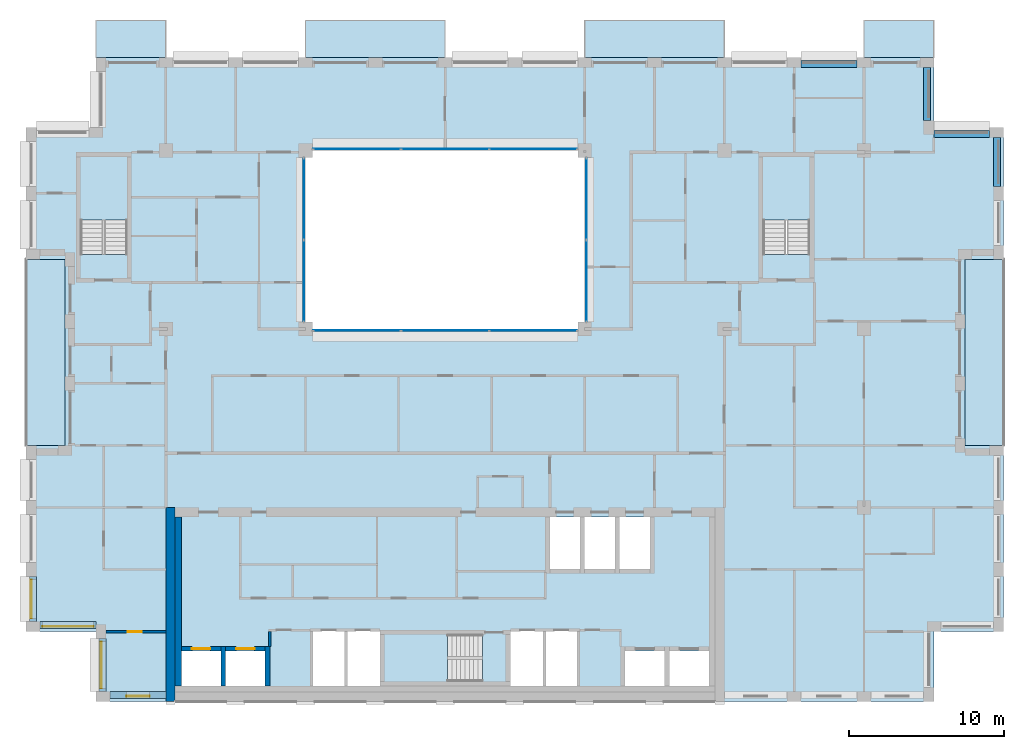
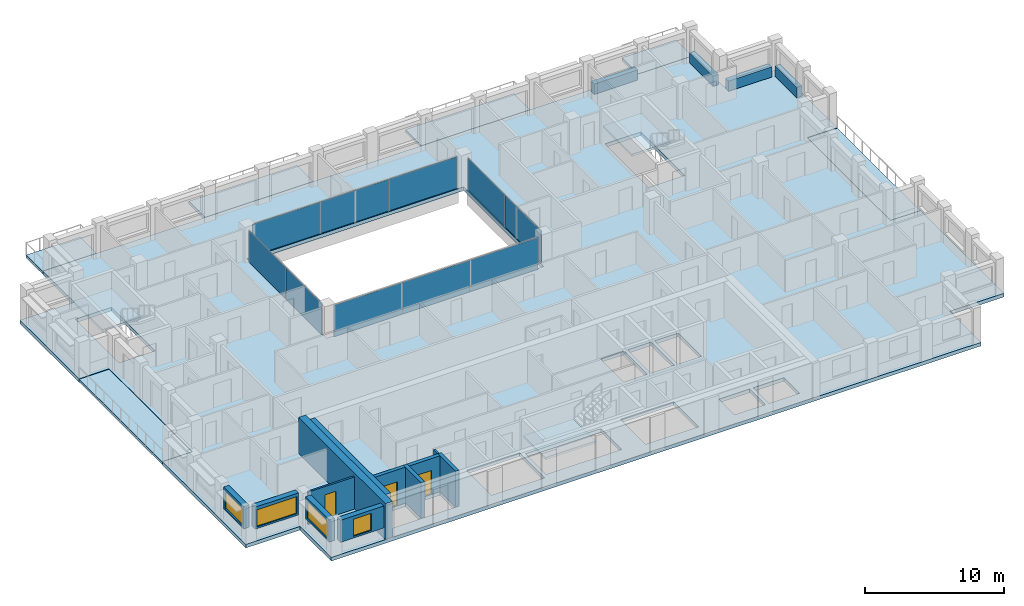
# One storey, part 7 of 16: 12 walls, 10 plates, 10 slabs, 4 beams, 4 windows, 3 doors, 7 openings, 7 elements without a shape of their own.
"""IFC4 building model written with IfcOpenShell, lengths in metres."""

from ifc_helpers import new_model, si_unit, direction, frame, frame_2d, origin, origin_2d, place, context, subcontext, project, spatial, polyline, rectangle, outline, extrude, material, layer, layer_set, material_profile, profile_set, type_object, element, fill, aggregate, save


model = new_model("IFC4")

# Units and contexts
model_context = context("Model", 3, precision=1e-05, world=origin(), true_north=direction((0.0, 1.0)))
body_context = subcontext(model_context, "Body", "Model", "MODEL_VIEW")
ifc_project = project(units=[si_unit("LENGTHUNIT", "METRE"), si_unit("AREAUNIT", "SQUARE_METRE"), si_unit("VOLUMEUNIT", "CUBIC_METRE"), si_unit("PLANEANGLEUNIT", "RADIAN"), si_unit("MASSUNIT", "GRAM", prefix="KILO")], contexts=[model_context])

# Site, building, storey
site_placement = place(None, origin())
site = spatial("IfcSite", under=ifc_project, at=site_placement, CompositionType="ELEMENT")
building_placement = place(site_placement, origin())
building = spatial("IfcBuilding", under=site, at=building_placement, Name="Brigalow Station Residences", CompositionType="ELEMENT")
storey_placement = place(building_placement, frame((0.0, 0.0, 201.14990234375)))
storey = spatial("IfcBuildingStorey", under=building, at=storey_placement, Name="L57", CompositionType="ELEMENT", Elevation=201.14990234375)

# Beams
ifc_material_1 = material(Name="Concrete C50", Category="concrete")
ifc_material_profile = material_profile(ifc_material_1, rectangle(XDim=0.449951171875, YDim=0.89990234375, at=origin_2d()), Name="RC450x900")
ifc_profile_set = profile_set([ifc_material_profile], Name="Concrete C50")
beam_type = type_object("IfcBeamType", Name="SPANDREL BEAM 450x900 C50", PredefinedType="SPANDREL", material=ifc_profile_set)
beam_1_placement = place(storey_placement, frame((71.574951171875, 33.199951171875, 0.4501953125), z_axis=(0.0, 1.0, 0.0), x_axis=(-1.0, 0.0, 0.0)))
element("IfcBeam", 1, at=beam_1_placement, inside=storey, type_object=beam_type, Name="L57/spandrel/W-L57-17", PredefinedType="SPANDREL", context=body_context, shape_type="SweptSolid", body=[
    extrude(rectangle(XDim=0.449951171875, YDim=0.89990234375, at=origin_2d()), origin(), (0.0, 0.0, 1.0), 3.150146484375),
])
beam_2_placement = place(storey_placement, frame((71.10009765625, 36.574951171875, 0.4501953125), z_axis=(-1.0, 0.0, 0.0), x_axis=(0.0, -1.0, 0.0)))
element("IfcBeam", 2, at=beam_2_placement, inside=storey, type_object=beam_type, Name="L57/spandrel/W-L57-18", PredefinedType="SPANDREL", context=body_context, shape_type="SweptSolid", body=[
    extrude(rectangle(XDim=0.449951171875, YDim=0.89990234375, at=origin_2d()), origin(), (0.0, 0.0, 1.0), 3.60009765625),
])
beam_3_placement = place(storey_placement, frame((67.074951171875, 37.449951171875, 0.4501953125), z_axis=(0.0, 1.0, 0.0), x_axis=(-1.0, 0.0, 0.0)))
element("IfcBeam", 3, at=beam_3_placement, inside=storey, type_object=beam_type, Name="L57/spandrel/W-L57-19", PredefinedType="SPANDREL", context=body_context, shape_type="SweptSolid", body=[
    extrude(rectangle(XDim=0.449951171875, YDim=0.89990234375, at=origin_2d()), origin(), (0.0, 0.0, 1.0), 3.400146484375),
])
beam_4_placement = place(storey_placement, frame((62.550048828125, 41.074951171875, 0.4501953125), z_axis=(-1.0, 0.0, 0.0), x_axis=(0.0, -1.0, 0.0)))
element("IfcBeam", 4, at=beam_4_placement, inside=storey, type_object=beam_type, Name="L57/spandrel/W-L57-21", PredefinedType="SPANDREL", context=body_context, shape_type="SweptSolid", body=[
    extrude(rectangle(XDim=0.449951171875, YDim=0.89990234375, at=origin_2d()), origin(), (0.0, 0.0, 1.0), 3.60009765625),
])

# Curtain wall, plates
ifc_material_2 = material(Name="Aluminium", Category="aluminium")
ifc_layer_1 = layer(ifc_material_2, 0.14990234375)
ifc_layer_set_1 = layer_set([ifc_layer_1], Name="ATRIUM FIRE-RATED GLAZING CURTAIN WALL")
curtain_wall_type = type_object("IfcCurtainWallType", Name="ATRIUM FIRE-RATED GLAZING CURTAIN WALL", PredefinedType="NOTDEFINED", material=ifc_layer_set_1)
curtain_wall_1_placement = place(storey_placement, origin())
curtain_wall_1 = element("IfcCurtainWall", 5, at=curtain_wall_1_placement, inside=storey, type_object=curtain_wall_type, Name="L57/cw/atrium-S", PredefinedType="NOTDEFINED")
ifc_material_3 = material(Name="Fire-resisting laminated glazing, FRL -/60/-", Category="glass")
ifc_layer_2 = layer(ifc_material_3, 0.031982421875)
ifc_layer_set_2 = layer_set([ifc_layer_2], Name="ATRIUM FIRE-RATED GLAZING PANEL 32")
plate_type = type_object("IfcPlateType", Name="ATRIUM FIRE-RATED GLAZING PANEL 32", PredefinedType="CURTAIN_PANEL", material=ifc_layer_set_2)
plate_1_placement = place(storey_placement, frame((30.31494140625, 23.89990234375, 0.0), z_axis=(0.0, 0.0, 1.0), x_axis=(1.0, 0.0, 0.0)))
plate_1 = element("IfcPlate", 6, at=plate_1_placement, type_object=plate_type, Name="L57/cw/atrium-S/P00-00", PredefinedType="CURTAIN_PANEL", context=body_context, shape_type="SweptSolid", body=[
    extrude(rectangle(XDim=5.610107421875, YDim=0.031982421875, at=origin_2d()), origin(), (0.0, 0.0, 1.0), 2.77001953125),
])
plate_2_placement = place(storey_placement, frame((36.0, 23.89990234375, 0.0), z_axis=(0.0, 0.0, 1.0), x_axis=(1.0, 0.0, 0.0)))
plate_2 = element("IfcPlate", 7, at=plate_2_placement, type_object=plate_type, Name="L57/cw/atrium-S/P01-00", PredefinedType="CURTAIN_PANEL", context=body_context, shape_type="SweptSolid", body=[
    extrude(rectangle(XDim=5.639892578125, YDim=0.031982421875, at=origin_2d()), origin(), (0.0, 0.0, 1.0), 2.77001953125),
])
plate_3_placement = place(storey_placement, frame((41.68505859375, 23.89990234375, 0.0), z_axis=(0.0, 0.0, 1.0), x_axis=(1.0, 0.0, 0.0)))
plate_3 = element("IfcPlate", 8, at=plate_3_placement, type_object=plate_type, Name="L57/cw/atrium-S/P02-00", PredefinedType="CURTAIN_PANEL", context=body_context, shape_type="SweptSolid", body=[
    extrude(rectangle(XDim=5.610107421875, YDim=0.031982421875, at=origin_2d()), origin(), (0.0, 0.0, 1.0), 2.77001953125),
])
aggregate(curtain_wall_1, [plate_1, plate_2, plate_3])

curtain_wall_2_placement = place(storey_placement, origin())
curtain_wall_2 = element("IfcCurtainWall", 9, at=curtain_wall_2_placement, inside=storey, type_object=curtain_wall_type, Name="L57/cw/atrium-E", PredefinedType="NOTDEFINED")
plate_4_placement = place(storey_placement, frame((45.10009765625, 27.114990234375, 0.0), z_axis=(0.0, 0.0, 1.0), x_axis=(0.0, 1.0, 0.0)))
plate_4 = element("IfcPlate", 10, at=plate_4_placement, type_object=plate_type, Name="L57/cw/atrium-E/P00-00", PredefinedType="CURTAIN_PANEL", context=body_context, shape_type="SweptSolid", body=[
    extrude(rectangle(XDim=5.2099609375, YDim=0.031982421875, at=origin_2d()), origin(), (0.0, 0.0, 1.0), 2.77001953125),
])
plate_5_placement = place(storey_placement, frame((45.10009765625, 32.385009765625, 0.0), z_axis=(0.0, 0.0, 1.0), x_axis=(0.0, 1.0, 0.0)))
plate_5 = element("IfcPlate", 11, at=plate_5_placement, type_object=plate_type, Name="L57/cw/atrium-E/P01-00", PredefinedType="CURTAIN_PANEL", context=body_context, shape_type="SweptSolid", body=[
    extrude(rectangle(XDim=5.2099609375, YDim=0.031982421875, at=origin_2d()), origin(), (0.0, 0.0, 1.0), 2.77001953125),
])
aggregate(curtain_wall_2, [plate_4, plate_5])

curtain_wall_3_placement = place(storey_placement, origin())
curtain_wall_3 = element("IfcCurtainWall", 12, at=curtain_wall_3_placement, inside=storey, type_object=curtain_wall_type, Name="L57/cw/atrium-N", PredefinedType="NOTDEFINED")
plate_6_placement = place(storey_placement, frame((41.68505859375, 35.60009765625, 0.0), z_axis=(0.0, 0.0, 1.0), x_axis=(-1.0, 0.0, 0.0)))
plate_6 = element("IfcPlate", 13, at=plate_6_placement, type_object=plate_type, Name="L57/cw/atrium-N/P00-00", PredefinedType="CURTAIN_PANEL", context=body_context, shape_type="SweptSolid", body=[
    extrude(rectangle(XDim=5.610107421875, YDim=0.031982421875, at=origin_2d()), origin(), (0.0, 0.0, 1.0), 2.77001953125),
])
plate_7_placement = place(storey_placement, frame((36.0, 35.60009765625, 0.0), z_axis=(0.0, 0.0, 1.0), x_axis=(-1.0, 0.0, 0.0)))
plate_7 = element("IfcPlate", 14, at=plate_7_placement, type_object=plate_type, Name="L57/cw/atrium-N/P01-00", PredefinedType="CURTAIN_PANEL", context=body_context, shape_type="SweptSolid", body=[
    extrude(rectangle(XDim=5.639892578125, YDim=0.031982421875, at=origin_2d()), origin(), (0.0, 0.0, 1.0), 2.77001953125),
])
plate_8_placement = place(storey_placement, frame((30.31494140625, 35.60009765625, 0.0), z_axis=(0.0, 0.0, 1.0), x_axis=(-1.0, 0.0, 0.0)))
plate_8 = element("IfcPlate", 15, at=plate_8_placement, type_object=plate_type, Name="L57/cw/atrium-N/P02-00", PredefinedType="CURTAIN_PANEL", context=body_context, shape_type="SweptSolid", body=[
    extrude(rectangle(XDim=5.610107421875, YDim=0.031982421875, at=origin_2d()), origin(), (0.0, 0.0, 1.0), 2.77001953125),
])
aggregate(curtain_wall_3, [plate_6, plate_7, plate_8])

curtain_wall_4_placement = place(storey_placement, origin())
curtain_wall_4 = element("IfcCurtainWall", 16, at=curtain_wall_4_placement, inside=storey, type_object=curtain_wall_type, Name="L57/cw/atrium-W", PredefinedType="NOTDEFINED")
plate_9_placement = place(storey_placement, frame((26.89990234375, 32.385009765625, 0.0), z_axis=(0.0, 0.0, 1.0), x_axis=(0.0, -1.0, 0.0)))
plate_9 = element("IfcPlate", 17, at=plate_9_placement, type_object=plate_type, Name="L57/cw/atrium-W/P00-00", PredefinedType="CURTAIN_PANEL", context=body_context, shape_type="SweptSolid", body=[
    extrude(rectangle(XDim=5.2099609375, YDim=0.031982421875, at=origin_2d()), origin(), (0.0, 0.0, 1.0), 2.77001953125),
])
plate_10_placement = place(storey_placement, frame((26.89990234375, 27.114990234375, 0.0), z_axis=(0.0, 0.0, 1.0), x_axis=(0.0, -1.0, 0.0)))
plate_10 = element("IfcPlate", 18, at=plate_10_placement, type_object=plate_type, Name="L57/cw/atrium-W/P01-00", PredefinedType="CURTAIN_PANEL", context=body_context, shape_type="SweptSolid", body=[
    extrude(rectangle(XDim=5.2099609375, YDim=0.031982421875, at=origin_2d()), origin(), (0.0, 0.0, 1.0), 2.77001953125),
])
aggregate(curtain_wall_4, [plate_9, plate_10])

# Slabs
ifc_material_4 = material(Name="Concrete C50 precast", Category="concrete")
ifc_layer_3 = layer(ifc_material_4, 0.25)
ifc_layer_set_3 = layer_set([ifc_layer_3], Name="BALCONY SLAB 250")
slab_type_1 = type_object("IfcSlabType", Name="BALCONY SLAB 250", PredefinedType="USERDEFINED", material=ifc_layer_set_3)
slab_1_placement = place(storey_placement, frame((0.0, 0.0, -0.289794921875)))
element("IfcSlab", 19, at=slab_1_placement, inside=storey, type_object=slab_type_1, Name="L57/balcony/1", ObjectType="BALCONY", PredefinedType="USERDEFINED", context=body_context, shape_type="SweptSolid", body=[
    extrude(outline(polyline([(69.5, 16.5), (72.0, 16.5), (72.0, 28.5), (69.5, 28.5), (69.5, 16.5)])), origin(), (0.0, 0.0, 1.0), 0.25),
])
slab_2_placement = place(storey_placement, frame((0.0, 0.0, -0.289794921875)))
element("IfcSlab", 20, at=slab_2_placement, inside=storey, type_object=slab_type_1, Name="L57/balcony/2", ObjectType="BALCONY", PredefinedType="USERDEFINED", context=body_context, shape_type="SweptSolid", body=[
    extrude(outline(polyline([(67.5, 41.5), (67.5, 43.89990234375), (63.0, 43.89990234375), (63.0, 41.5), (67.5, 41.5)])), origin(), (0.0, 0.0, 1.0), 0.25),
])
slab_3_placement = place(storey_placement, frame((0.0, 0.0, -0.289794921875)))
element("IfcSlab", 21, at=slab_3_placement, inside=storey, type_object=slab_type_1, Name="L57/balcony/3", ObjectType="BALCONY", PredefinedType="USERDEFINED", context=body_context, shape_type="SweptSolid", body=[
    extrude(outline(polyline([(54.0, 41.5), (54.0, 43.89990234375), (45.0, 43.89990234375), (45.0, 41.5), (54.0, 41.5)])), origin(), (0.0, 0.0, 1.0), 0.25),
])
slab_4_placement = place(storey_placement, frame((0.0, 0.0, -0.289794921875)))
element("IfcSlab", 22, at=slab_4_placement, inside=storey, type_object=slab_type_1, Name="L57/balcony/4", ObjectType="BALCONY", PredefinedType="USERDEFINED", context=body_context, shape_type="SweptSolid", body=[
    extrude(outline(polyline([(36.0, 41.5), (36.0, 43.89990234375), (27.0, 43.89990234375), (27.0, 41.5), (36.0, 41.5)])), origin(), (0.0, 0.0, 1.0), 0.25),
])
slab_5_placement = place(storey_placement, frame((0.0, 0.0, -0.289794921875)))
element("IfcSlab", 23, at=slab_5_placement, inside=storey, type_object=slab_type_1, Name="L57/balcony/5", ObjectType="BALCONY", PredefinedType="USERDEFINED", context=body_context, shape_type="SweptSolid", body=[
    extrude(outline(polyline([(18.0, 41.5), (18.0, 43.89990234375), (13.5, 43.89990234375), (13.5, 41.5), (18.0, 41.5)])), origin(), (0.0, 0.0, 1.0), 0.25),
])
slab_6_placement = place(storey_placement, frame((0.0, 0.0, -0.289794921875)))
element("IfcSlab", 24, at=slab_6_placement, inside=storey, type_object=slab_type_1, Name="L57/balcony/6", ObjectType="BALCONY", PredefinedType="USERDEFINED", context=body_context, shape_type="SweptSolid", body=[
    extrude(outline(polyline([(11.5, 28.5), (9.0, 28.5), (9.0, 16.5), (11.5, 16.5), (11.5, 28.5)])), origin(), (0.0, 0.0, 1.0), 0.25),
])
ifc_material_5 = material(Name="Concrete C50", Category="concrete")
ifc_layer_4 = layer(ifc_material_5, 0.320068359375)
ifc_layer_set_4 = layer_set([ifc_layer_4], Name="POST-TENSIONED FLAT PLATE 320 C50")
slab_type_2 = type_object("IfcSlabType", Name="POST-TENSIONED FLAT PLATE 320 C50", PredefinedType="FLOOR", material=ifc_layer_set_4)
slab_7_placement = place(storey_placement, frame((0.0, 0.0, -0.31982421875)))
element("IfcSlab", 25, at=slab_7_placement, inside=storey, type_object=slab_type_2, Name="FLOOR SLAB L57", PredefinedType="FLOOR", context=body_context, shape_type="SweptSolid", body=[
    extrude(outline(polyline([(13.5, 0.0), (67.5, 0.0), (67.5, 4.5), (72.0, 4.5), (72.0, 16.5), (69.5, 16.5), (69.5, 28.5), (72.0, 28.5), (72.0, 37.0), (67.5, 37.0), (67.5, 41.5), (13.5, 41.5), (13.5, 37.0), (9.0, 37.0), (9.0, 28.5), (11.5, 28.5), (11.5, 16.5), (9.0, 16.5), (9.0, 4.5), (13.5, 4.5), (13.5, 0.0)]), holes=[polyline([(12.5048828125, 35.094970703125), (15.4951171875, 35.094970703125), (15.4951171875, 28.804931640625), (12.5048828125, 28.804931640625), (12.5048828125, 35.094970703125)]), polyline([(19.0, 1.0), (19.0, 3.25), (21.550048828125, 3.25), (21.550048828125, 1.0), (19.0, 1.0)]), polyline([(21.85009765625, 3.25), (24.39990234375, 3.25), (24.39990234375, 1.0), (21.85009765625, 1.0), (21.85009765625, 3.25)]), polyline([(27.0, 35.5), (45.0, 35.5), (45.0, 24.0), (27.0, 24.0), (27.0, 35.5)]), polyline([(29.60009765625, 4.60009765625), (31.800048828125, 4.60009765625), (31.800048828125, 1.0), (29.60009765625, 1.0), (27.39990234375, 1.0), (27.39990234375, 4.60009765625), (29.60009765625, 4.60009765625)]), polyline([(32.10498046875, 4.294921875), (38.39501953125, 4.294921875), (38.39501953125, 1.304931640625), (32.10498046875, 1.304931640625), (32.10498046875, 4.294921875)]), polyline([(40.199951171875, 4.60009765625), (42.39990234375, 4.60009765625), (44.60009765625, 4.60009765625), (44.60009765625, 1.0), (42.39990234375, 1.0), (40.199951171875, 1.0), (40.199951171875, 4.60009765625)]), polyline([(42.75, 11.89990234375), (44.699951171875, 11.89990234375), (44.699951171875, 8.550048828125), (42.75, 8.550048828125), (42.75, 11.89990234375)]), polyline([(45.0, 11.89990234375), (46.949951171875, 11.89990234375), (46.949951171875, 8.550048828125), (45.0, 8.550048828125), (45.0, 11.89990234375)]), polyline([(47.25, 11.89990234375), (49.199951171875, 11.89990234375), (49.199951171875, 8.550048828125), (47.25, 8.550048828125), (47.25, 11.89990234375)]), polyline([(47.60009765625, 3.25), (50.14990234375, 3.25), (50.14990234375, 1.0), (47.60009765625, 1.0), (47.60009765625, 3.25)]), polyline([(50.449951171875, 3.25), (53.0, 3.25), (53.0, 1.0), (50.449951171875, 1.0), (50.449951171875, 3.25)]), polyline([(56.5048828125, 35.094970703125), (59.4951171875, 35.094970703125), (59.4951171875, 28.804931640625), (56.5048828125, 28.804931640625), (56.5048828125, 35.094970703125)])]), origin(), (0.0, 0.0, 1.0), 0.31982421875),
])

# Stair, slab
ifc_material_6 = material(Name="Concrete C50", Category="concrete")
stair_type = type_object("IfcStairType", Name="EXIT STAIR 1400 2 FLIGHT", PredefinedType="HALF_TURN_STAIR", material=ifc_material_6)
stair_1_placement = place(storey_placement, origin())
stair_1 = element("IfcStair", 26, at=stair_1_placement, inside=storey, type_object=stair_type, Name="EXIT STAIR S2 L57", PredefinedType="HALF_TURN_STAIR")
ifc_material_7 = material(Name="Concrete C50", Category="concrete")
ifc_layer_5 = layer(ifc_material_7, 0.199951171875)
ifc_layer_set_5 = layer_set([ifc_layer_5], Name="STAIR LANDING 200")
slab_type_3 = type_object("IfcSlabType", Name="STAIR LANDING 200", PredefinedType="LANDING", material=ifc_layer_set_5)
slab_8_placement = place(storey_placement, frame((0.0, 0.0, 1.375)))
slab_8 = element("IfcSlab", 27, at=slab_8_placement, type_object=slab_type_3, Name="ST-2 landing 1", PredefinedType="LANDING", context=body_context, shape_type="SweptSolid", body=[
    extrude(outline(polyline([(32.0, 1.199951171875), (36.159912109375, 1.199951171875), (36.159912109375, 4.39990234375), (32.0, 4.39990234375), (32.0, 1.199951171875)])), origin(), (0.0, 0.0, 1.0), 0.2001953125),
])
aggregate(stair_1, [slab_8])

stair_2_placement = place(storey_placement, origin())
stair_2 = element("IfcStair", 28, at=stair_2_placement, inside=storey, type_object=stair_type, Name="EXIT STAIR S1 L57", PredefinedType="HALF_TURN_STAIR")
slab_9_placement = place(storey_placement, frame((0.0, 0.0, 1.375)))
slab_9 = element("IfcSlab", 29, at=slab_9_placement, type_object=slab_type_3, Name="ST-1 landing 1", PredefinedType="LANDING", context=body_context, shape_type="SweptSolid", body=[
    extrude(outline(polyline([(12.39990234375, 31.0400390625), (15.60009765625, 31.0400390625), (15.60009765625, 35.199951171875), (12.39990234375, 35.199951171875), (12.39990234375, 31.0400390625)])), origin(), (0.0, 0.0, 1.0), 0.2001953125),
])
aggregate(stair_2, [slab_9])

stair_3_placement = place(storey_placement, origin())
stair_3 = element("IfcStair", 30, at=stair_3_placement, inside=storey, type_object=stair_type, Name="EXIT STAIR S3 L57", PredefinedType="HALF_TURN_STAIR")
slab_10_placement = place(storey_placement, frame((0.0, 0.0, 1.375)))
slab_10 = element("IfcSlab", 31, at=slab_10_placement, type_object=slab_type_3, Name="ST-3 landing 1", PredefinedType="LANDING", context=body_context, shape_type="SweptSolid", body=[
    extrude(outline(polyline([(56.39990234375, 31.0400390625), (59.60009765625, 31.0400390625), (59.60009765625, 35.199951171875), (56.39990234375, 35.199951171875), (56.39990234375, 31.0400390625)])), origin(), (0.0, 0.0, 1.0), 0.2001953125),
])
aggregate(stair_3, [slab_10])

# Wall, opening, window
ifc_material_8 = material(Name="Clay brick masonry", Category="masonry")
ifc_layer_6 = layer(ifc_material_8, 0.449951171875)
ifc_layer_set_6 = layer_set([ifc_layer_6], Name="BRICK INFILL WALL 450")
wall_type_1 = type_object("IfcWallType", Name="BRICK INFILL WALL 450", PredefinedType="SOLIDWALL", material=ifc_layer_set_6)
wall_1_placement = place(storey_placement, frame((14.39990234375, 0.425048828125, 0.900146484375), z_axis=(0.0, 0.0, 1.0), x_axis=(1.0, 0.0, 0.0)))
wall_1 = element("IfcWall", 32, at=wall_1_placement, inside=storey, type_object=wall_type_1, Name="L57/ewall/W-L57-1", PredefinedType="SOLIDWALL", context=body_context, shape_type="SweptSolid", body=[
    extrude(rectangle(XDim=3.60009765625, YDim=0.449951171875, at=frame_2d((1.800048828125, 0.0))), origin(), (0.0, 0.0, 1.0), 1.929931640625),
])
opening_1_placement = place(wall_1_placement, frame((1.050048828125, 0.0, 0.14990234375)))
opening_1 = element("IfcOpeningElement", 33, at=opening_1_placement, cuts=wall_1, Name="Opening WT-1", PredefinedType="OPENING", context=body_context, shape_type="SweptSolid", body=[
    extrude(rectangle(XDim=1.5, YDim=1.5, at=frame_2d((0.75, 0.75))), frame((0.0, 0.23486328125, 0.0), z_axis=(0.0, -1.0, 0.0), x_axis=(1.0, 0.0, 0.0)), (0.0, 0.0, 1.0), 0.469970703125),
])
ifc_material_9 = material(Name="Anodised aluminium frame with double glazing", Category="aluminium")
window_type_1 = type_object("IfcWindowType", Name="WINDOW 1500x1500", PartitioningType="SINGLE_PANEL", PredefinedType="WINDOW", material=ifc_material_9)
window_1_placement = place(opening_1_placement, origin())
window_1 = element("IfcWindow", 34, at=window_1_placement, inside=storey, type_object=window_type_1, Name="L57/window/W-L57-1", OverallHeight=1.5, OverallWidth=1.5, PartitioningType="SINGLE_PANEL", PredefinedType="WINDOW", context=body_context, shape_type="SweptSolid", body=[
    extrude(rectangle(XDim=1.5, YDim=1.5, at=frame_2d((0.75, 0.75))), frame((0.0, -0.06494140625, 0.0), z_axis=(0.0, -1.0, 0.0), x_axis=(1.0, 0.0, 0.0)), (0.0, 0.0, 1.0), 0.06005859375),
])
fill(opening_1, window_1)

wall_2_placement = place(storey_placement, frame((9.425048828125, 8.050048828125, 0.900146484375), z_axis=(0.0, 0.0, 1.0), x_axis=(0.0, -1.0, 0.0)))
wall_2 = element("IfcWall", 35, at=wall_2_placement, inside=storey, type_object=wall_type_1, Name="L57/ewall/W-L57-43", PredefinedType="SOLIDWALL", context=body_context, shape_type="SweptSolid", body=[
    extrude(rectangle(XDim=2.900146484375, YDim=0.449951171875, at=frame_2d((1.4501953125, 0.0))), origin(), (0.0, 0.0, 1.0), 1.929931640625),
])
opening_2_placement = place(wall_2_placement, frame((0.199951171875, 0.0, 0.14990234375)))
opening_2 = element("IfcOpeningElement", 36, at=opening_2_placement, cuts=wall_2, Name="Opening WT-5", PredefinedType="OPENING", context=body_context, shape_type="SweptSolid", body=[
    extrude(rectangle(XDim=2.5, YDim=1.5, at=frame_2d((1.25, 0.75))), frame((0.0, 0.23486328125, 0.0), z_axis=(0.0, -1.0, 0.0), x_axis=(1.0, 0.0, 0.0)), (0.0, 0.0, 1.0), 0.469970703125),
])
ifc_material_10 = material(Name="Anodised aluminium frame with double glazing", Category="aluminium")
window_type_2 = type_object("IfcWindowType", Name="WINDOW 2500x1500", PartitioningType="SINGLE_PANEL", PredefinedType="WINDOW", material=ifc_material_10)
window_2_placement = place(opening_2_placement, origin())
window_2 = element("IfcWindow", 37, at=window_2_placement, inside=storey, type_object=window_type_2, Name="L57/window/W-L57-43", OverallHeight=1.5, OverallWidth=2.5, PartitioningType="SINGLE_PANEL", PredefinedType="WINDOW", context=body_context, shape_type="SweptSolid", body=[
    extrude(rectangle(XDim=2.5, YDim=1.5, at=frame_2d((1.25, 0.75))), frame((0.0, -0.06494140625, 0.0), z_axis=(0.0, -1.0, 0.0), x_axis=(1.0, 0.0, 0.0)), (0.0, 0.0, 1.0), 0.06005859375),
])
fill(opening_2, window_2)

wall_3_placement = place(storey_placement, frame((9.89990234375, 4.925048828125, 0.900146484375), z_axis=(0.0, 0.0, 1.0), x_axis=(1.0, 0.0, 0.0)))
wall_3 = element("IfcWall", 38, at=wall_3_placement, inside=storey, type_object=wall_type_1, Name="L57/ewall/W-L57-44", PredefinedType="SOLIDWALL", context=body_context, shape_type="SweptSolid", body=[
    extrude(rectangle(XDim=3.60009765625, YDim=0.449951171875, at=frame_2d((1.800048828125, 0.0))), origin(), (0.0, 0.0, 1.0), 1.929931640625),
])
opening_3_placement = place(wall_3_placement, frame((0.14990234375, 0.0, 0.14990234375)))
opening_3 = element("IfcOpeningElement", 39, at=opening_3_placement, cuts=wall_3, Name="Opening WT-10", PredefinedType="OPENING", context=body_context, shape_type="SweptSolid", body=[
    extrude(rectangle(XDim=3.300048828125, YDim=1.5, at=frame_2d((1.64990234375, 0.75))), frame((0.0, 0.23486328125, 0.0), z_axis=(0.0, -1.0, 0.0), x_axis=(1.0, 0.0, 0.0)), (0.0, 0.0, 1.0), 0.469970703125),
])
ifc_material_11 = material(Name="Anodised aluminium frame with double glazing", Category="aluminium")
window_type_3 = type_object("IfcWindowType", Name="WINDOW 3300x1500", PartitioningType="SINGLE_PANEL", PredefinedType="WINDOW", material=ifc_material_11)
window_3_placement = place(opening_3_placement, origin())
window_3 = element("IfcWindow", 40, at=window_3_placement, inside=storey, type_object=window_type_3, Name="L57/window/W-L57-44", OverallHeight=1.5, OverallWidth=3.300048828125, PartitioningType="SINGLE_PANEL", PredefinedType="WINDOW", context=body_context, shape_type="SweptSolid", body=[
    extrude(rectangle(XDim=3.300048828125, YDim=1.5, at=frame_2d((1.64990234375, 0.75))), frame((0.0, -0.06494140625, 0.0), z_axis=(0.0, -1.0, 0.0), x_axis=(1.0, 0.0, 0.0)), (0.0, 0.0, 1.0), 0.06005859375),
])
fill(opening_3, window_3)

wall_4_placement = place(storey_placement, frame((13.925048828125, 4.050048828125, 0.900146484375), z_axis=(0.0, 0.0, 1.0), x_axis=(0.0, -1.0, 0.0)))
wall_4 = element("IfcWall", 41, at=wall_4_placement, inside=storey, type_object=wall_type_1, Name="L57/ewall/W-L57-45", PredefinedType="SOLIDWALL", context=body_context, shape_type="SweptSolid", body=[
    extrude(rectangle(XDim=3.400146484375, YDim=0.449951171875, at=frame_2d((1.7001953125, 0.0))), origin(), (0.0, 0.0, 1.0), 1.929931640625),
])
opening_4_placement = place(wall_4_placement, frame((0.199951171875, 0.0, 0.14990234375)))
opening_4 = element("IfcOpeningElement", 42, at=opening_4_placement, cuts=wall_4, Name="Opening WT-2", PredefinedType="OPENING", context=body_context, shape_type="SweptSolid", body=[
    extrude(rectangle(XDim=3.0, YDim=1.5, at=frame_2d((1.5, 0.75))), frame((0.0, 0.23486328125, 0.0), z_axis=(0.0, -1.0, 0.0), x_axis=(1.0, 0.0, 0.0)), (0.0, 0.0, 1.0), 0.469970703125),
])
ifc_material_12 = material(Name="Anodised aluminium frame with double glazing", Category="aluminium")
window_type_4 = type_object("IfcWindowType", Name="WINDOW 3000x1500", PartitioningType="SINGLE_PANEL", PredefinedType="WINDOW", material=ifc_material_12)
window_4_placement = place(opening_4_placement, origin())
window_4 = element("IfcWindow", 43, at=window_4_placement, inside=storey, type_object=window_type_4, Name="L57/window/W-L57-45", OverallHeight=1.5, OverallWidth=3.0, PartitioningType="SINGLE_PANEL", PredefinedType="WINDOW", context=body_context, shape_type="SweptSolid", body=[
    extrude(rectangle(XDim=3.0, YDim=1.5, at=frame_2d((1.5, 0.75))), frame((0.0, -0.06494140625, 0.0), z_axis=(0.0, -1.0, 0.0), x_axis=(1.0, 0.0, 0.0)), (0.0, 0.0, 1.0), 0.06005859375),
])
fill(opening_4, window_4)

# Wall, opening, door
ifc_material_13 = material(Name="Concrete C50", Category="concrete")
ifc_layer_7 = layer(ifc_material_13, 0.300048828125)
ifc_layer_set_7 = layer_set([ifc_layer_7], Name="CORE SHEAR WALL 300 C50")
wall_type_2 = type_object("IfcWallType", Name="CORE SHEAR WALL 300 C50", PredefinedType="SHEAR", material=ifc_layer_set_7)
wall_5_placement = place(storey_placement, frame((19.0, 3.39990234375, 0.0), z_axis=(0.0, 0.0, 1.0), x_axis=(1.0, 0.0, 0.0)))
wall_5 = element("IfcWall", 44, at=wall_5_placement, inside=storey, type_object=wall_type_2, Name="CORE WALL SH-C1-N L57", PredefinedType="SHEAR", context=body_context, shape_type="SweptSolid", body=[
    extrude(rectangle(XDim=2.550048828125, YDim=0.300048828125, at=frame_2d((1.27490234375, 0.0))), origin(), (0.0, 0.0, 1.0), 3.150146484375),
])
opening_5_placement = place(wall_5_placement, frame((0.675048828125, 0.0, 0.0)))
opening_5 = element("IfcOpeningElement", 45, at=opening_5_placement, cuts=wall_5, Name="Opening LD-LB1", PredefinedType="OPENING", context=body_context, shape_type="SweptSolid", body=[
    extrude(rectangle(XDim=1.199951171875, YDim=2.10009765625, at=frame_2d((0.60009765625, 1.050048828125))), frame((0.0, 0.16015625, 0.0), z_axis=(0.0, -1.0, 0.0), x_axis=(1.0, 0.0, 0.0)), (0.0, 0.0, 1.0), 0.320068359375),
])
ifc_material_14 = material(Name="Stainless steel sliding door leaves", Category="steel")
door_type_1 = type_object("IfcDoorType", Name="LIFT LANDING DOOR 1200 x 2100", OperationType="DOUBLE_DOOR_SLIDING", PredefinedType="DOOR", material=ifc_material_14)
door_1_placement = place(opening_5_placement, origin())
door_1 = element("IfcDoor", 46, at=door_1_placement, inside=storey, type_object=door_type_1, Name="LANDING DOOR LB1", OperationType="DOUBLE_DOOR_SLIDING", OverallHeight=2.10009765625, OverallWidth=1.199951171875, PredefinedType="DOOR", context=body_context, shape_type="SweptSolid", body=[
    extrude(rectangle(XDim=1.199951171875, YDim=2.10009765625, at=frame_2d((0.60009765625, 1.050048828125))), frame((0.0, 0.02490234375, 0.0), z_axis=(0.0, -1.0, 0.0), x_axis=(1.0, 0.0, 0.0)), (0.0, 0.0, 1.0), 0.050048828125),
])
fill(opening_5, door_1)

wall_6_placement = place(storey_placement, frame((21.85009765625, 3.39990234375, 0.0), z_axis=(0.0, 0.0, 1.0), x_axis=(1.0, 0.0, 0.0)))
wall_6 = element("IfcWall", 47, at=wall_6_placement, inside=storey, type_object=wall_type_2, Name="CORE WALL SH-C2-N L57", PredefinedType="SHEAR", context=body_context, shape_type="SweptSolid", body=[
    extrude(rectangle(XDim=2.5498046875, YDim=0.300048828125, at=frame_2d((1.27490234375, 0.0))), origin(), (0.0, 0.0, 1.0), 3.150146484375),
])
opening_6_placement = place(wall_6_placement, frame((0.675048828125, 0.0, 0.0)))
opening_6 = element("IfcOpeningElement", 48, at=opening_6_placement, cuts=wall_6, Name="Opening LD-LB2", PredefinedType="OPENING", context=body_context, shape_type="SweptSolid", body=[
    extrude(rectangle(XDim=1.199951171875, YDim=2.10009765625, at=frame_2d((0.60009765625, 1.050048828125))), frame((0.0, 0.16015625, 0.0), z_axis=(0.0, -1.0, 0.0), x_axis=(1.0, 0.0, 0.0)), (0.0, 0.0, 1.0), 0.320068359375),
])
door_2_placement = place(opening_6_placement, origin())
door_2 = element("IfcDoor", 49, at=door_2_placement, inside=storey, type_object=door_type_1, Name="LANDING DOOR LB2", OperationType="DOUBLE_DOOR_SLIDING", OverallHeight=2.10009765625, OverallWidth=1.199951171875, PredefinedType="DOOR", context=body_context, shape_type="SweptSolid", body=[
    extrude(rectangle(XDim=1.199951171875, YDim=2.10009765625, at=frame_2d((0.60009765625, 1.050048828125))), frame((0.0, 0.02490234375, 0.0), z_axis=(0.0, -1.0, 0.0), x_axis=(1.0, 0.0, 0.0)), (0.0, 0.0, 1.0), 0.050048828125),
])
fill(opening_6, door_2)

# Walls
for number, where, z_axis, x_axis, name in (
    (50, (21.699951171875, 1.0, 0.0), (0.0, 0.0, 1.0), (0.0, 1.0, 0.0), "CORE WALL SH-C2-W L57"),
    (51, (24.550048828125, 1.0, 0.0), (0.0, 0.0, 1.0), (0.0, 1.0, 0.0), "CORE WALL SH-C2-E L57"),
):
    element("IfcWall", number, at=place(storey_placement, frame(where, z_axis=z_axis, x_axis=x_axis)), inside=storey, type_object=wall_type_2, Name=name, PredefinedType="SHEAR", context=body_context, shape_type="SweptSolid", body=[
        extrude(rectangle(XDim=2.550048828125, YDim=0.300048828125, at=frame_2d((1.27490234375, 0.0))), origin(), (0.0, 0.0, 1.0), 3.150146484375),
    ])
ifc_material_15 = material(Name="Concrete C50", Category="concrete")
ifc_layer_8 = layer(ifc_material_15, 0.39990234375)
ifc_layer_set_8 = layer_set([ifc_layer_8], Name="CORE SHEAR WALL 400 C50")
wall_type_3 = type_object("IfcWallType", Name="CORE SHEAR WALL 400 C50", PredefinedType="SHEAR", material=ifc_layer_set_8)
wall_7_placement = place(storey_placement, frame((18.800048828125, 1.0, 0.0), z_axis=(0.0, 0.0, 1.0), x_axis=(0.0, 1.0, 0.0)))
element("IfcWall", 52, at=wall_7_placement, inside=storey, type_object=wall_type_3, Name="CORE WALL LIN-W L57", PredefinedType="SHEAR", context=body_context, shape_type="SweptSolid", body=[
    extrude(rectangle(XDim=10.89990234375, YDim=0.39990234375, at=frame_2d((5.449951171875, 0.0))), origin(), (0.0, 0.0, 1.0), 3.150146484375),
])
ifc_material_16 = material(Name="Concrete C50", Category="concrete")
ifc_layer_9 = layer(ifc_material_16, 0.60009765625)
ifc_layer_set_9 = layer_set([ifc_layer_9], Name="CORE SHEAR WALL 600 C50")
wall_type_4 = type_object("IfcWallType", Name="CORE SHEAR WALL 600 C50", PredefinedType="SHEAR", material=ifc_layer_set_9)
wall_8_placement = place(storey_placement, frame((18.300048828125, 0.0, 0.0), z_axis=(0.0, 0.0, 1.0), x_axis=(0.0, 1.0, 0.0)))
element("IfcWall", 53, at=wall_8_placement, inside=storey, type_object=wall_type_4, Name="CORE WALL OUT-W L57", PredefinedType="SHEAR", context=body_context, shape_type="SweptSolid", body=[
    extrude(rectangle(XDim=12.5, YDim=0.60009765625, at=frame_2d((6.25, 0.0))), origin(), (0.0, 0.0, 1.0), 3.150146484375),
])

# Wall, opening, door
ifc_material_17 = material(Name="Plasterboard on steel stud partition", Category="steel")
ifc_layer_10 = layer(ifc_material_17, 0.14990234375)
ifc_layer_set_10 = layer_set([ifc_layer_10], Name="FLAT PARTITION 150")
wall_type_5 = type_object("IfcWallType", Name="FLAT PARTITION 150", PredefinedType="PARTITIONING", material=ifc_layer_set_10)
wall_9_placement = place(storey_placement, frame((14.14990234375, 4.5, 0.0), z_axis=(0.0, 0.0, 1.0), x_axis=(1.0, 0.0, 0.0)))
wall_9 = element("IfcWall", 54, at=wall_9_placement, inside=storey, type_object=wall_type_5, Name="PW-4A16", PredefinedType="PARTITIONING", context=body_context, shape_type="SweptSolid", body=[
    extrude(rectangle(XDim=3.85009765625, YDim=0.14990234375, at=frame_2d((1.925048828125, 0.0))), origin(), (0.0, 0.0, 1.0), 2.830078125),
])
opening_7_placement = place(wall_9_placement, frame((1.39990234375, 0.0, 0.0)))
opening_7 = element("IfcOpeningElement", 55, at=opening_7_placement, cuts=wall_9, Name="Opening D-4A10", PredefinedType="OPENING", context=body_context, shape_type="SweptSolid", body=[
    extrude(rectangle(XDim=0.89990234375, YDim=2.10009765625, at=frame_2d((0.449951171875, 1.050048828125))), frame((0.0, 0.0849609375, 0.0), z_axis=(0.0, -1.0, 0.0), x_axis=(1.0, 0.0, 0.0)), (0.0, 0.0, 1.0), 0.169921875),
])
ifc_material_18 = material(Name="Solid-core timber door leaf", Category="wood")
door_type_2 = type_object("IfcDoorType", Name="INTERNAL DOOR 900 x 2100", OperationType="SINGLE_SWING_LEFT", PredefinedType="DOOR", material=ifc_material_18)
door_3_placement = place(opening_7_placement, frame((0.89990234375, 0.0, 0.0), z_axis=(0.0, 0.0, 1.0), x_axis=(-1.0, 0.0, 0.0)))
door_3 = element("IfcDoor", 56, at=door_3_placement, inside=storey, type_object=door_type_2, Name="D-4A10", OperationType="SINGLE_SWING_RIGHT", OverallHeight=2.10009765625, OverallWidth=0.89990234375, PredefinedType="DOOR", context=body_context, shape_type="SweptSolid", body=[
    extrude(rectangle(XDim=0.89990234375, YDim=2.10009765625, at=frame_2d((0.449951171875, 1.050048828125))), frame((0.0, 0.02490234375, 0.0), z_axis=(0.0, -1.0, 0.0), x_axis=(1.0, 0.0, 0.0)), (0.0, 0.0, 1.0), 0.050048828125),
])
fill(opening_7, door_3)

# Wall
ifc_material_19 = material(Name="Plasterboard on steel studs", Category="steel")
ifc_layer_11 = layer(ifc_material_19, 0.14990234375)
ifc_layer_set_11 = layer_set([ifc_layer_11], Name="SERVICE ROOM PARTITION 150")
wall_type_6 = type_object("IfcWallType", Name="SERVICE ROOM PARTITION 150", PredefinedType="PARTITIONING", material=ifc_layer_set_11)
wall_10_placement = place(storey_placement, frame((24.699951171875, 3.550048828125, 0.0), z_axis=(0.0, 0.0, 1.0), x_axis=(0.0, 1.0, 0.0)))
element("IfcWall", 57, at=wall_10_placement, inside=storey, type_object=wall_type_6, Name="PW-5157", PredefinedType="PARTITIONING", context=body_context, shape_type="SweptSolid", body=[
    extrude(rectangle(XDim=0.974853515625, YDim=0.14990234375, at=frame_2d((0.4873046875, 0.0))), origin(), (0.0, 0.0, 1.0), 2.830078125),
])

save(model, "model.ifc")
